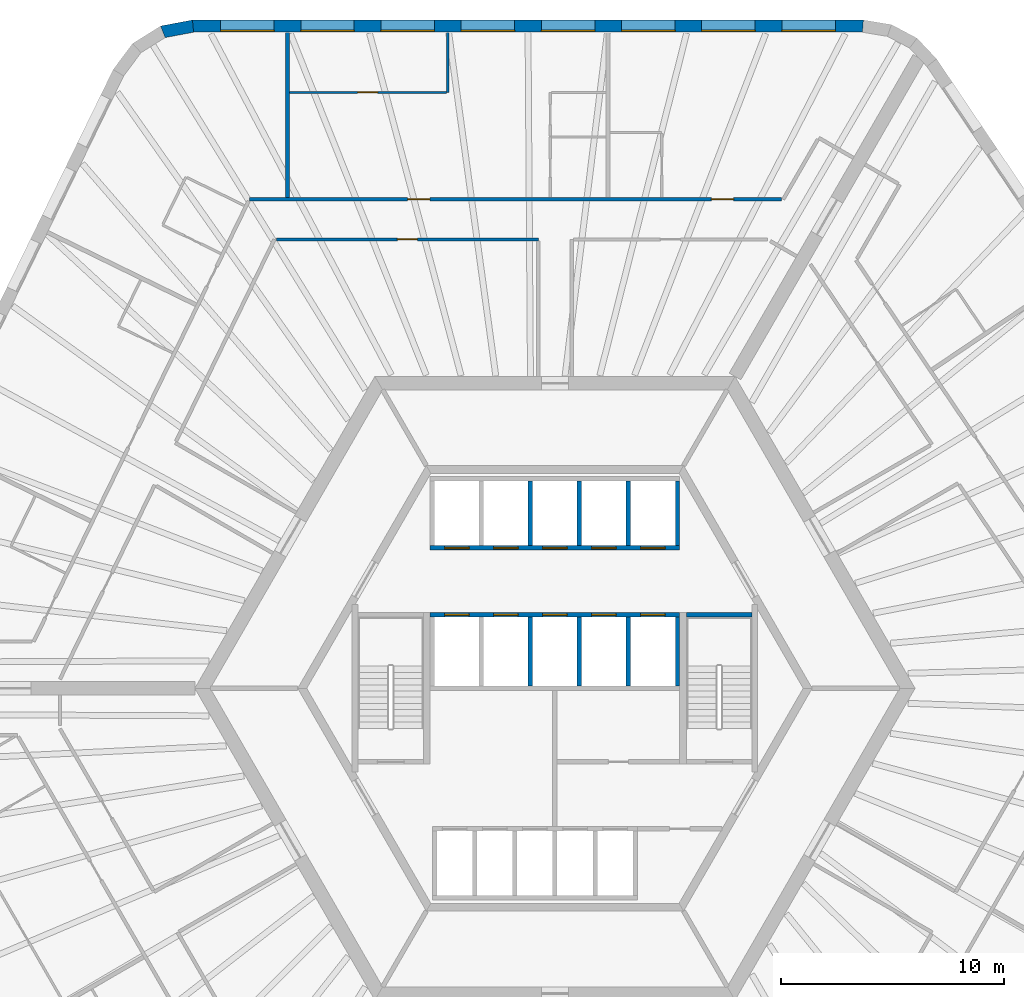
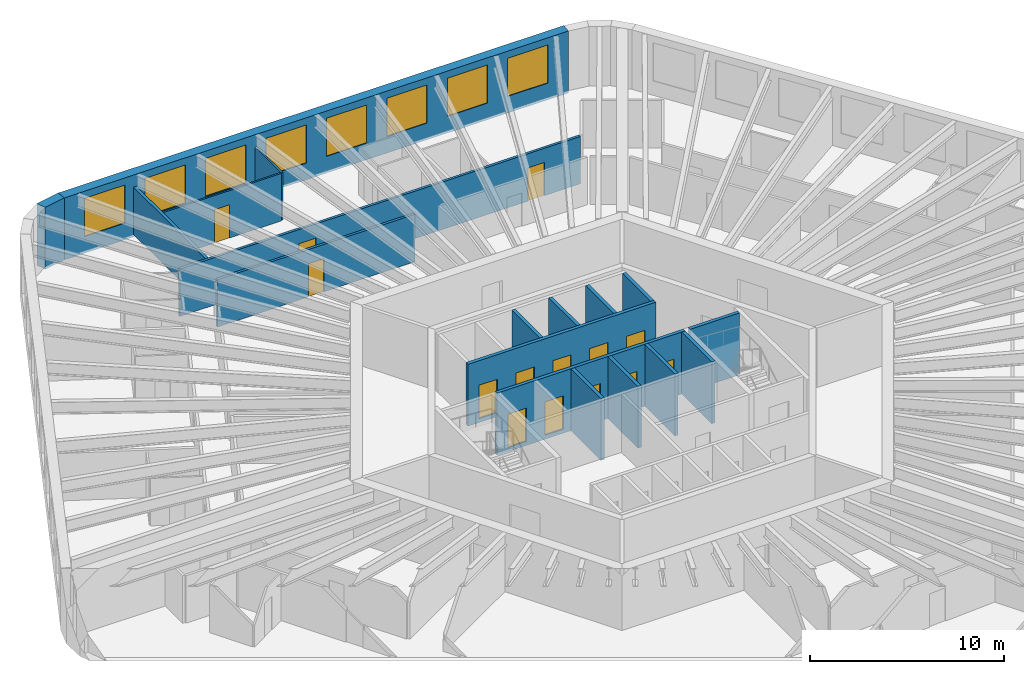
# One storey, part 8 of 12: 18 walls, 14 doors, 8 windows, 22 openings.
"""IFC4 building model written with IfcOpenShell, lengths in metres."""

from ifc_helpers import new_model, si_unit, direction, frame, frame_2d, origin, place, context, subcontext, project, spatial, polyline, rectangle, outline, extrude, material, layer, layer_set, type_object, element, fill, save


model = new_model("IFC4")

# Units and contexts
model_context = context("Model", 3, precision=1e-05, world=origin(), true_north=direction((0.0, 1.0)))
body_context = subcontext(model_context, "Body", "Model", "MODEL_VIEW")
ifc_project = project(units=[si_unit("LENGTHUNIT", "METRE"), si_unit("AREAUNIT", "SQUARE_METRE"), si_unit("VOLUMEUNIT", "CUBIC_METRE"), si_unit("PLANEANGLEUNIT", "RADIAN"), si_unit("MASSUNIT", "GRAM", prefix="KILO")], contexts=[model_context])

# Site, building, storey
site_placement = place(None, origin())
site = spatial("IfcSite", under=ifc_project, at=site_placement, CompositionType="ELEMENT")
building_placement = place(site_placement, origin())
building = spatial("IfcBuilding", under=site, at=building_placement, Name="Tarnside Tower", CompositionType="ELEMENT")
storey_placement = place(building_placement, frame((0.0, 0.0, 64.800048828125)))
storey = spatial("IfcBuildingStorey", under=building, at=storey_placement, Name="L13", CompositionType="ELEMENT", Elevation=64.800048828125)

# Wall, openings, doors
ifc_material_1 = material(Name="Gypsum board partition on steel studs", Category="steel")
ifc_layer_1 = layer(ifc_material_1, 0.14990234375)
ifc_layer_set_1 = layer_set([ifc_layer_1], Name="Corridor wall 150 EI 60")
wall_type_1 = type_object("IfcWallType", Name="Corridor wall 150 EI 60", PredefinedType="PARTITIONING", material=ifc_layer_set_1)
wall_1_placement = place(storey_placement, frame((10.161376953125, 21.949951171875, 0.0), z_axis=(0.0, 0.0, 1.0), x_axis=(-1.0, 0.0, 0.0)))
wall_1 = element("IfcWall", 1, at=wall_1_placement, inside=storey, type_object=wall_type_1, Name="Corridor wall 03003", PredefinedType="PARTITIONING", context=body_context, shape_type="SweptSolid", body=[
    extrude(rectangle(XDim=23.877197265625, YDim=0.14990234375, at=frame_2d((11.9384765625, 0.0))), origin(), (0.0, 0.0, 1.0), 2.98779296875),
])
opening_1_placement = place(wall_1_placement, frame((2.142822265625, 0.0, 0.0)))
opening_1 = element("IfcOpeningElement", 2, at=opening_1_placement, cuts=wall_1, Name="Opening D-E1", PredefinedType="OPENING", context=body_context, shape_type="SweptSolid", body=[
    extrude(rectangle(XDim=1.0, YDim=2.10009765625, at=frame_2d((0.5, 1.050048828125))), frame((0.0, 0.0849609375, 0.0), z_axis=(0.0, -1.0, 0.0), x_axis=(1.0, 0.0, 0.0)), (0.0, 0.0, 1.0), 0.169921875),
])
opening_2_placement = place(wall_1_placement, frame((15.7724609375, 0.0, 0.0)))
opening_2 = element("IfcOpeningElement", 3, at=opening_2_placement, cuts=wall_1, Name="Opening D-E1", PredefinedType="OPENING", context=body_context, shape_type="SweptSolid", body=[
    extrude(rectangle(XDim=1.0, YDim=2.10009765625, at=frame_2d((0.5, 1.050048828125))), frame((0.0, 0.0849609375, 0.0), z_axis=(0.0, -1.0, 0.0), x_axis=(1.0, 0.0, 0.0)), (0.0, 0.0, 1.0), 0.169921875),
])
ifc_material_2 = material(Name="Timber door leaf", Category="wood")
door_type_1 = type_object("IfcDoorType", Name="Unit entrance door 1000 FD30S", OperationType="NOTDEFINED", PredefinedType="DOOR", material=ifc_material_2)
door_1_placement = place(opening_1_placement, origin())
door_1 = element("IfcDoor", 4, at=door_1_placement, inside=storey, type_object=door_type_1, Name="Unit door 03001", OperationType="SINGLE_SWING_RIGHT", OverallHeight=2.10009765625, OverallWidth=1.0, PredefinedType="DOOR", context=body_context, shape_type="SweptSolid", body=[
    extrude(rectangle(XDim=1.0, YDim=2.10009765625, at=frame_2d((0.5, 1.050048828125))), frame((0.0, 0.02490234375, 0.0), z_axis=(0.0, -1.0, 0.0), x_axis=(1.0, 0.0, 0.0)), (0.0, 0.0, 1.0), 0.050048828125),
])
fill(opening_1, door_1)
door_2_placement = place(opening_2_placement, origin())
door_2 = element("IfcDoor", 5, at=door_2_placement, inside=storey, type_object=door_type_1, Name="Unit door 03003", OperationType="SINGLE_SWING_RIGHT", OverallHeight=2.10009765625, OverallWidth=1.0, PredefinedType="DOOR", context=body_context, shape_type="SweptSolid", body=[
    extrude(rectangle(XDim=1.0, YDim=2.10009765625, at=frame_2d((0.5, 1.050048828125))), frame((0.0, 0.02490234375, 0.0), z_axis=(0.0, -1.0, 0.0), x_axis=(1.0, 0.0, 0.0)), (0.0, 0.0, 1.0), 0.050048828125),
])
fill(opening_2, door_2)

# Wall, opening, door
wall_2_placement = place(storey_placement, frame((-12.507568359375, 20.14990234375, 0.0), z_axis=(0.0, 0.0, 1.0), x_axis=(1.0, 0.0, 0.0)))
wall_2 = element("IfcWall", 6, at=wall_2_placement, inside=storey, type_object=wall_type_1, Name="Corridor wall 03019", PredefinedType="PARTITIONING", context=body_context, shape_type="SweptSolid", body=[
    extrude(rectangle(XDim=11.757568359375, YDim=0.14990234375, at=frame_2d((5.87890625, 0.0))), origin(), (0.0, 0.0, 1.0), 2.98779296875),
])
opening_3_placement = place(wall_2_placement, frame((5.428955078125, 0.0, 0.0)))
opening_3 = element("IfcOpeningElement", 7, at=opening_3_placement, cuts=wall_2, Name="Opening D-S1", PredefinedType="OPENING", context=body_context, shape_type="SweptSolid", body=[
    extrude(rectangle(XDim=0.89990234375, YDim=2.10009765625, at=frame_2d((0.449951171875, 1.050048828125))), frame((0.0, 0.0849609375, 0.0), z_axis=(0.0, -1.0, 0.0), x_axis=(1.0, 0.0, 0.0)), (0.0, 0.0, 1.0), 0.169921875),
])
door_type_2 = type_object("IfcDoorType", Name="Service room door 900 FD30S", OperationType="NOTDEFINED", PredefinedType="DOOR", material=ifc_material_2)
door_3_placement = place(opening_3_placement, origin())
door_3 = element("IfcDoor", 8, at=door_3_placement, inside=storey, type_object=door_type_2, Name="Service door 03039", OperationType="SINGLE_SWING_RIGHT", OverallHeight=2.10009765625, OverallWidth=0.89990234375, PredefinedType="DOOR", context=body_context, shape_type="SweptSolid", body=[
    extrude(rectangle(XDim=0.89990234375, YDim=2.10009765625, at=frame_2d((0.449951171875, 1.050048828125))), frame((0.0, 0.02490234375, 0.0), z_axis=(0.0, -1.0, 0.0), x_axis=(1.0, 0.0, 0.0)), (0.0, 0.0, 1.0), 0.050048828125),
])
fill(opening_3, door_3)

# Wall
ifc_layer_2 = layer(ifc_material_1, 0.179931640625)
ifc_layer_set_2 = layer_set([ifc_layer_2], Name="Demising wall 180 EI 60")
wall_type_2 = type_object("IfcWallType", Name="Demising wall 180 EI 60", PredefinedType="PARTITIONING", material=ifc_layer_set_2)
wall_3_placement = place(storey_placement, frame((-12.010986328125, 29.449951171875, 0.0), z_axis=(0.0, 0.0, 1.0), x_axis=(0.0, -1.0, 0.0)))
element("IfcWall", 9, at=wall_3_placement, inside=storey, type_object=wall_type_2, Name="Demising wall 03083", PredefinedType="PARTITIONING", context=body_context, shape_type="SweptSolid", body=[
    extrude(rectangle(XDim=7.425048828125, YDim=0.179931640625, at=frame_2d((3.71240234375, 0.0))), origin(), (0.0, 0.0, 1.0), 2.98779296875),
])

# Wall, openings, doors
ifc_material_3 = material(Name="Concrete C40/50", Category="concrete")
ifc_layer_3 = layer(ifc_material_3, 0.199951171875)
ifc_layer_set_3 = layer_set([ifc_layer_3], Name="Lift shaft wall 200 C40/50")
wall_type_3 = type_object("IfcWallType", Name="Lift shaft wall 200 C40/50", PredefinedType="SHEAR", material=ifc_layer_set_3)
wall_4_placement = place(storey_placement, frame((-5.60009765625, 6.300048828125, -0.25), z_axis=(0.0, 0.0, 1.0), x_axis=(1.0, 0.0, 0.0)))
wall_4 = element("IfcWall", 10, at=wall_4_placement, inside=storey, type_object=wall_type_3, Name="L13 lift shaft front wall R1", PredefinedType="SHEAR", context=body_context, shape_type="SweptSolid", body=[
    extrude(rectangle(XDim=11.2001953125, YDim=0.199951171875, at=frame_2d((5.60009765625, 0.0))), origin(), (0.0, 0.0, 1.0), 3.89990234375),
])
opening_4_placement = place(wall_4_placement, frame((0.64990234375, 0.0, 0.25)))
opening_4 = element("IfcOpeningElement", 11, at=opening_4_placement, cuts=wall_4, Name="Opening LD", PredefinedType="OPENING", context=body_context, shape_type="SweptSolid", body=[
    extrude(rectangle(XDim=1.10009765625, YDim=2.10009765625, at=frame_2d((0.550048828125, 1.050048828125))), frame((0.0, 0.10986328125, 0.0), z_axis=(0.0, -1.0, 0.0), x_axis=(1.0, 0.0, 0.0)), (0.0, 0.0, 1.0), 0.219970703125),
])
opening_5_placement = place(wall_4_placement, frame((2.85009765625, 0.0, 0.25)))
opening_5 = element("IfcOpeningElement", 12, at=opening_5_placement, cuts=wall_4, Name="Opening LD", PredefinedType="OPENING", context=body_context, shape_type="SweptSolid", body=[
    extrude(rectangle(XDim=1.10009765625, YDim=2.10009765625, at=frame_2d((0.550048828125, 1.050048828125))), frame((0.0, 0.10986328125, 0.0), z_axis=(0.0, -1.0, 0.0), x_axis=(1.0, 0.0, 0.0)), (0.0, 0.0, 1.0), 0.219970703125),
])
opening_6_placement = place(wall_4_placement, frame((5.050048828125, 0.0, 0.25)))
opening_6 = element("IfcOpeningElement", 13, at=opening_6_placement, cuts=wall_4, Name="Opening LD", PredefinedType="OPENING", context=body_context, shape_type="SweptSolid", body=[
    extrude(rectangle(XDim=1.10009765625, YDim=2.10009765625, at=frame_2d((0.550048828125, 1.050048828125))), frame((0.0, 0.10986328125, 0.0), z_axis=(0.0, -1.0, 0.0), x_axis=(1.0, 0.0, 0.0)), (0.0, 0.0, 1.0), 0.219970703125),
])
opening_7_placement = place(wall_4_placement, frame((7.25, 0.0, 0.25)))
opening_7 = element("IfcOpeningElement", 14, at=opening_7_placement, cuts=wall_4, Name="Opening LD", PredefinedType="OPENING", context=body_context, shape_type="SweptSolid", body=[
    extrude(rectangle(XDim=1.10009765625, YDim=2.10009765625, at=frame_2d((0.550048828125, 1.050048828125))), frame((0.0, 0.10986328125, 0.0), z_axis=(0.0, -1.0, 0.0), x_axis=(1.0, 0.0, 0.0)), (0.0, 0.0, 1.0), 0.219970703125),
])
opening_8_placement = place(wall_4_placement, frame((9.449951171875, 0.0, 0.25)))
opening_8 = element("IfcOpeningElement", 15, at=opening_8_placement, cuts=wall_4, Name="Opening LD", PredefinedType="OPENING", context=body_context, shape_type="SweptSolid", body=[
    extrude(rectangle(XDim=1.10009765625, YDim=2.10009765625, at=frame_2d((0.550048828125, 1.050048828125))), frame((0.0, 0.10986328125, 0.0), z_axis=(0.0, -1.0, 0.0), x_axis=(1.0, 0.0, 0.0)), (0.0, 0.0, 1.0), 0.219970703125),
])
ifc_material_4 = material(Name="Stainless steel", Category="steel")
door_type_3 = type_object("IfcDoorType", Name="Lift landing door 1100x2100", OperationType="NOTDEFINED", PredefinedType="DOOR", material=ifc_material_4)
door_4_placement = place(opening_4_placement, origin())
door_4 = element("IfcDoor", 16, at=door_4_placement, inside=storey, type_object=door_type_3, Name="Low-rise lift 1 landing door L13", OperationType="SLIDING_TO_LEFT", OverallHeight=2.10009765625, OverallWidth=1.10009765625, PredefinedType="DOOR", context=body_context, shape_type="SweptSolid", body=[
    extrude(rectangle(XDim=1.10009765625, YDim=2.10009765625, at=frame_2d((0.550048828125, 1.050048828125))), frame((0.0, 0.02490234375, 0.0), z_axis=(0.0, -1.0, 0.0), x_axis=(1.0, 0.0, 0.0)), (0.0, 0.0, 1.0), 0.050048828125),
])
fill(opening_4, door_4)
door_5_placement = place(opening_5_placement, origin())
door_5 = element("IfcDoor", 17, at=door_5_placement, inside=storey, type_object=door_type_3, Name="Low-rise lift 2 landing door L13", OperationType="SLIDING_TO_LEFT", OverallHeight=2.10009765625, OverallWidth=1.10009765625, PredefinedType="DOOR", context=body_context, shape_type="SweptSolid", body=[
    extrude(rectangle(XDim=1.10009765625, YDim=2.10009765625, at=frame_2d((0.550048828125, 1.050048828125))), frame((0.0, 0.02490234375, 0.0), z_axis=(0.0, -1.0, 0.0), x_axis=(1.0, 0.0, 0.0)), (0.0, 0.0, 1.0), 0.050048828125),
])
fill(opening_5, door_5)
door_6_placement = place(opening_6_placement, origin())
door_6 = element("IfcDoor", 18, at=door_6_placement, inside=storey, type_object=door_type_3, Name="Low-rise lift 3 landing door L13", OperationType="SLIDING_TO_LEFT", OverallHeight=2.10009765625, OverallWidth=1.10009765625, PredefinedType="DOOR", context=body_context, shape_type="SweptSolid", body=[
    extrude(rectangle(XDim=1.10009765625, YDim=2.10009765625, at=frame_2d((0.550048828125, 1.050048828125))), frame((0.0, 0.02490234375, 0.0), z_axis=(0.0, -1.0, 0.0), x_axis=(1.0, 0.0, 0.0)), (0.0, 0.0, 1.0), 0.050048828125),
])
fill(opening_6, door_6)
door_7_placement = place(opening_7_placement, origin())
door_7 = element("IfcDoor", 19, at=door_7_placement, inside=storey, type_object=door_type_3, Name="Low sky-lobby shuttle 1 landing door L13", OperationType="SLIDING_TO_LEFT", OverallHeight=2.10009765625, OverallWidth=1.10009765625, PredefinedType="DOOR", context=body_context, shape_type="SweptSolid", body=[
    extrude(rectangle(XDim=1.10009765625, YDim=2.10009765625, at=frame_2d((0.550048828125, 1.050048828125))), frame((0.0, 0.02490234375, 0.0), z_axis=(0.0, -1.0, 0.0), x_axis=(1.0, 0.0, 0.0)), (0.0, 0.0, 1.0), 0.050048828125),
])
fill(opening_7, door_7)
door_8_placement = place(opening_8_placement, origin())
door_8 = element("IfcDoor", 20, at=door_8_placement, inside=storey, type_object=door_type_3, Name="Low sky-lobby shuttle 2 landing door L13", OperationType="SLIDING_TO_LEFT", OverallHeight=2.10009765625, OverallWidth=1.10009765625, PredefinedType="DOOR", context=body_context, shape_type="SweptSolid", body=[
    extrude(rectangle(XDim=1.10009765625, YDim=2.10009765625, at=frame_2d((0.550048828125, 1.050048828125))), frame((0.0, 0.02490234375, 0.0), z_axis=(0.0, -1.0, 0.0), x_axis=(1.0, 0.0, 0.0)), (0.0, 0.0, 1.0), 0.050048828125),
])
fill(opening_8, door_8)

# Walls
for number, where, z_axis, x_axis, name in (
    (21, (-1.10009765625, 6.39990234375, -0.25), (0.0, 0.0, 1.0), (0.0, 1.0, 0.0), "L13 lift shaft partition R13"),
    (22, (1.10009765625, 6.39990234375, -0.25), (0.0, 0.0, 1.0), (0.0, 1.0, 0.0), "L13 lift shaft partition R14"),
    (23, (3.300048828125, 6.39990234375, -0.25), (0.0, 0.0, 1.0), (0.0, 1.0, 0.0), "L13 lift shaft partition R15"),
    (24, (5.5, 6.39990234375, -0.25), (0.0, 0.0, 1.0), (0.0, 1.0, 0.0), "L13 lift shaft partition R16"),
):
    element("IfcWall", number, at=place(storey_placement, frame(where, z_axis=z_axis, x_axis=x_axis)), inside=storey, type_object=wall_type_3, Name=name, PredefinedType="SHEAR", context=body_context, shape_type="SweptSolid", body=[
        extrude(rectangle(XDim=2.900146484375, YDim=0.199951171875, at=frame_2d((1.4501953125, 0.0))), origin(), (0.0, 0.0, 1.0), 3.89990234375),
    ])

# Wall, openings, doors
wall_5_placement = place(storey_placement, frame((-5.60009765625, 3.300048828125, -0.25), z_axis=(0.0, 0.0, 1.0), x_axis=(1.0, 0.0, 0.0)))
wall_5 = element("IfcWall", 25, at=wall_5_placement, inside=storey, type_object=wall_type_3, Name="L13 lift shaft front wall R2", PredefinedType="SHEAR", context=body_context, shape_type="SweptSolid", body=[
    extrude(rectangle(XDim=11.2001953125, YDim=0.199951171875, at=frame_2d((5.60009765625, 0.0))), origin(), (0.0, 0.0, 1.0), 3.89990234375),
])
opening_9_placement = place(wall_5_placement, frame((0.64990234375, 0.0, 0.25)))
opening_9 = element("IfcOpeningElement", 26, at=opening_9_placement, cuts=wall_5, Name="Opening LD", PredefinedType="OPENING", context=body_context, shape_type="SweptSolid", body=[
    extrude(rectangle(XDim=1.10009765625, YDim=2.10009765625, at=frame_2d((0.550048828125, 1.050048828125))), frame((0.0, 0.10986328125, 0.0), z_axis=(0.0, -1.0, 0.0), x_axis=(1.0, 0.0, 0.0)), (0.0, 0.0, 1.0), 0.219970703125),
])
opening_10_placement = place(wall_5_placement, frame((2.85009765625, 0.0, 0.25)))
opening_10 = element("IfcOpeningElement", 27, at=opening_10_placement, cuts=wall_5, Name="Opening LD", PredefinedType="OPENING", context=body_context, shape_type="SweptSolid", body=[
    extrude(rectangle(XDim=1.10009765625, YDim=2.10009765625, at=frame_2d((0.550048828125, 1.050048828125))), frame((0.0, 0.10986328125, 0.0), z_axis=(0.0, -1.0, 0.0), x_axis=(1.0, 0.0, 0.0)), (0.0, 0.0, 1.0), 0.219970703125),
])
opening_11_placement = place(wall_5_placement, frame((5.050048828125, 0.0, 0.25)))
opening_11 = element("IfcOpeningElement", 28, at=opening_11_placement, cuts=wall_5, Name="Opening LD", PredefinedType="OPENING", context=body_context, shape_type="SweptSolid", body=[
    extrude(rectangle(XDim=1.10009765625, YDim=2.10009765625, at=frame_2d((0.550048828125, 1.050048828125))), frame((0.0, 0.10986328125, 0.0), z_axis=(0.0, -1.0, 0.0), x_axis=(1.0, 0.0, 0.0)), (0.0, 0.0, 1.0), 0.219970703125),
])
opening_12_placement = place(wall_5_placement, frame((7.25, 0.0, 0.25)))
opening_12 = element("IfcOpeningElement", 29, at=opening_12_placement, cuts=wall_5, Name="Opening LD", PredefinedType="OPENING", context=body_context, shape_type="SweptSolid", body=[
    extrude(rectangle(XDim=1.10009765625, YDim=2.10009765625, at=frame_2d((0.550048828125, 1.050048828125))), frame((0.0, 0.10986328125, 0.0), z_axis=(0.0, -1.0, 0.0), x_axis=(1.0, 0.0, 0.0)), (0.0, 0.0, 1.0), 0.219970703125),
])
opening_13_placement = place(wall_5_placement, frame((9.449951171875, 0.0, 0.25)))
opening_13 = element("IfcOpeningElement", 30, at=opening_13_placement, cuts=wall_5, Name="Opening LD", PredefinedType="OPENING", context=body_context, shape_type="SweptSolid", body=[
    extrude(rectangle(XDim=1.10009765625, YDim=2.10009765625, at=frame_2d((0.550048828125, 1.050048828125))), frame((0.0, 0.10986328125, 0.0), z_axis=(0.0, -1.0, 0.0), x_axis=(1.0, 0.0, 0.0)), (0.0, 0.0, 1.0), 0.219970703125),
])
door_9_placement = place(opening_9_placement, origin())
door_9 = element("IfcDoor", 31, at=door_9_placement, inside=storey, type_object=door_type_3, Name="Low-rise lift 4 landing door L13", OperationType="SLIDING_TO_LEFT", OverallHeight=2.10009765625, OverallWidth=1.10009765625, PredefinedType="DOOR", context=body_context, shape_type="SweptSolid", body=[
    extrude(rectangle(XDim=1.10009765625, YDim=2.10009765625, at=frame_2d((0.550048828125, 1.050048828125))), frame((0.0, 0.02490234375, 0.0), z_axis=(0.0, -1.0, 0.0), x_axis=(1.0, 0.0, 0.0)), (0.0, 0.0, 1.0), 0.050048828125),
])
fill(opening_9, door_9)
door_10_placement = place(opening_10_placement, origin())
door_10 = element("IfcDoor", 32, at=door_10_placement, inside=storey, type_object=door_type_3, Name="Low-rise lift 5 landing door L13", OperationType="SLIDING_TO_LEFT", OverallHeight=2.10009765625, OverallWidth=1.10009765625, PredefinedType="DOOR", context=body_context, shape_type="SweptSolid", body=[
    extrude(rectangle(XDim=1.10009765625, YDim=2.10009765625, at=frame_2d((0.550048828125, 1.050048828125))), frame((0.0, 0.02490234375, 0.0), z_axis=(0.0, -1.0, 0.0), x_axis=(1.0, 0.0, 0.0)), (0.0, 0.0, 1.0), 0.050048828125),
])
fill(opening_10, door_10)
door_11_placement = place(opening_11_placement, origin())
door_11 = element("IfcDoor", 33, at=door_11_placement, inside=storey, type_object=door_type_3, Name="Low-rise lift 6 landing door L13", OperationType="SLIDING_TO_LEFT", OverallHeight=2.10009765625, OverallWidth=1.10009765625, PredefinedType="DOOR", context=body_context, shape_type="SweptSolid", body=[
    extrude(rectangle(XDim=1.10009765625, YDim=2.10009765625, at=frame_2d((0.550048828125, 1.050048828125))), frame((0.0, 0.02490234375, 0.0), z_axis=(0.0, -1.0, 0.0), x_axis=(1.0, 0.0, 0.0)), (0.0, 0.0, 1.0), 0.050048828125),
])
fill(opening_11, door_11)
door_12_placement = place(opening_12_placement, origin())
door_12 = element("IfcDoor", 34, at=door_12_placement, inside=storey, type_object=door_type_3, Name="High sky-lobby shuttle 1 landing door L13", OperationType="SLIDING_TO_LEFT", OverallHeight=2.10009765625, OverallWidth=1.10009765625, PredefinedType="DOOR", context=body_context, shape_type="SweptSolid", body=[
    extrude(rectangle(XDim=1.10009765625, YDim=2.10009765625, at=frame_2d((0.550048828125, 1.050048828125))), frame((0.0, 0.02490234375, 0.0), z_axis=(0.0, -1.0, 0.0), x_axis=(1.0, 0.0, 0.0)), (0.0, 0.0, 1.0), 0.050048828125),
])
fill(opening_12, door_12)
door_13_placement = place(opening_13_placement, origin())
door_13 = element("IfcDoor", 35, at=door_13_placement, inside=storey, type_object=door_type_3, Name="Express sky-lobby shuttle 2 landing door L13", OperationType="SLIDING_TO_LEFT", OverallHeight=2.10009765625, OverallWidth=1.10009765625, PredefinedType="DOOR", context=body_context, shape_type="SweptSolid", body=[
    extrude(rectangle(XDim=1.10009765625, YDim=2.10009765625, at=frame_2d((0.550048828125, 1.050048828125))), frame((0.0, 0.02490234375, 0.0), z_axis=(0.0, -1.0, 0.0), x_axis=(1.0, 0.0, 0.0)), (0.0, 0.0, 1.0), 0.050048828125),
])
fill(opening_13, door_13)

# Walls
for number, where, z_axis, x_axis, name in (
    (36, (-1.10009765625, 0.10009765625, -0.25), (0.0, 0.0, 1.0), (0.0, 1.0, 0.0), "L13 lift shaft partition R23"),
    (37, (1.10009765625, 0.10009765625, -0.25), (0.0, 0.0, 1.0), (0.0, 1.0, 0.0), "L13 lift shaft partition R24"),
    (38, (3.300048828125, 0.10009765625, -0.25), (0.0, 0.0, 1.0), (0.0, 1.0, 0.0), "L13 lift shaft partition R25"),
    (39, (5.5, 0.10009765625, -0.25), (0.0, 0.0, 1.0), (0.0, 1.0, 0.0), "L13 lift shaft partition R26"),
):
    element("IfcWall", number, at=place(storey_placement, frame(where, z_axis=z_axis, x_axis=x_axis)), inside=storey, type_object=wall_type_3, Name=name, PredefinedType="SHEAR", context=body_context, shape_type="SweptSolid", body=[
        extrude(rectangle(XDim=3.099853515625, YDim=0.199951171875, at=frame_2d((1.5498046875, 0.0))), origin(), (0.0, 0.0, 1.0), 3.89990234375),
    ])
wall_6_placement = place(storey_placement, frame((5.89990234375, 3.300048828125, -0.25), z_axis=(0.0, 0.0, 1.0), x_axis=(1.0, 0.0, 0.0)))
element("IfcWall", 40, at=wall_6_placement, inside=storey, type_object=wall_type_3, Name="L13 stair 1 enclosure cap wall n", PredefinedType="SHEAR", context=body_context, shape_type="SweptSolid", body=[
    extrude(rectangle(XDim=2.9501953125, YDim=0.199951171875, at=frame_2d((1.47509765625, 0.0))), origin(), (0.0, 0.0, 1.0), 3.89990234375),
])
ifc_layer_4 = layer(ifc_material_1, 0.10009765625)
ifc_layer_set_4 = layer_set([ifc_layer_4], Name="Partition 100")
wall_type_4 = type_object("IfcWallType", Name="Partition 100", PredefinedType="PARTITIONING", material=ifc_layer_set_4)
wall_7_placement = place(storey_placement, frame((-4.81103515625, 29.449951171875, 0.0), z_axis=(0.0, 0.0, 1.0), x_axis=(0.0, -1.0, 0.0)))
element("IfcWall", 41, at=wall_7_placement, inside=storey, type_object=wall_type_4, Name="Partition wall 03081", PredefinedType="PARTITIONING", context=body_context, shape_type="SweptSolid", body=[
    extrude(rectangle(XDim=2.699951171875, YDim=0.10009765625, at=frame_2d((1.35009765625, 0.0))), origin(), (0.0, 0.0, 1.0), 2.98779296875),
])

# Wall, opening, door
wall_8_placement = place(storey_placement, frame((-4.861083984375, 26.75, 0.0), z_axis=(0.0, 0.0, 1.0), x_axis=(-1.0, 0.0, 0.0)))
wall_8 = element("IfcWall", 42, at=wall_8_placement, inside=storey, type_object=wall_type_4, Name="Partition wall 03082", PredefinedType="PARTITIONING", context=body_context, shape_type="SweptSolid", body=[
    extrude(rectangle(XDim=7.06005859375, YDim=0.10009765625, at=frame_2d((3.530029296875, 0.0))), origin(), (0.0, 0.0, 1.0), 2.98779296875),
])
opening_14_placement = place(wall_8_placement, frame((3.10009765625, 0.0, 0.0)))
opening_14 = element("IfcOpeningElement", 43, at=opening_14_placement, cuts=wall_8, Name="Opening D-I1", PredefinedType="OPENING", context=body_context, shape_type="SweptSolid", body=[
    extrude(rectangle(XDim=0.89990234375, YDim=2.10009765625, at=frame_2d((0.449951171875, 1.050048828125))), frame((0.0, 0.06005859375, 0.0), z_axis=(0.0, -1.0, 0.0), x_axis=(1.0, 0.0, 0.0)), (0.0, 0.0, 1.0), 0.1201171875),
])
door_type_4 = type_object("IfcDoorType", Name="Internal door 900", OperationType="NOTDEFINED", PredefinedType="DOOR", material=ifc_material_2)
door_14_placement = place(opening_14_placement, origin())
door_14 = element("IfcDoor", 44, at=door_14_placement, inside=storey, type_object=door_type_4, Name="Internal door 03006", OperationType="SINGLE_SWING_LEFT", OverallHeight=2.10009765625, OverallWidth=0.89990234375, PredefinedType="DOOR", context=body_context, shape_type="SweptSolid", body=[
    extrude(rectangle(XDim=0.89990234375, YDim=2.10009765625, at=frame_2d((0.449951171875, 1.050048828125))), frame((0.0, 0.02490234375, 0.0), z_axis=(0.0, -1.0, 0.0), x_axis=(1.0, 0.0, 0.0)), (0.0, 0.0, 1.0), 0.050048828125),
])
fill(opening_14, door_14)

# Wall, openings, windows
ifc_material_5 = material(Name="Facing brick", Category="masonry")
ifc_layer_5 = layer(ifc_material_5, 0.10205078125)
ifc_material_6 = material(Name="Concrete C60/75 precast", Category="concrete")
ifc_layer_6 = layer(ifc_material_6, 0.347900390625)
ifc_material_7 = material(Name="Mineral wool insulation")
ifc_layer_7 = layer(ifc_material_7, 0.10009765625)
ifc_layer_set_5 = layer_set([ifc_layer_5, ifc_layer_6, ifc_layer_7], Name="Tube wall 550 brick faced")
wall_type_5 = type_object("IfcWallType", Name="Tube wall 550 brick faced", PredefinedType="SOLIDWALL", material=ifc_layer_set_5)
wall_9_placement = place(storey_placement, frame((13.824462890625, 29.72509765625, -0.150146484375), z_axis=(0.0, 0.0, 1.0), x_axis=(-1.0, 0.0, 0.0)))
wall_9 = element("IfcWall", 45, at=wall_9_placement, inside=storey, type_object=wall_type_5, Name="Tube wall L13 F1 flush 00", PredefinedType="SOLIDWALL", context=body_context, shape_type="SweptSolid", body=[
    extrude(outline(polyline([(-0.0224609375, -0.27490234375), (30.0966796875, -0.27490234375), (30.04541015625, 0.27490234375), (0.0224609375, 0.27490234375), (-0.0224609375, -0.27490234375)])), origin(), (0.0, 0.0, 1.0), 3.900146484375),
])
opening_15_placement = place(wall_9_placement, frame((1.235595703125, 0.0, 1.050048828125)))
opening_15 = element("IfcOpeningElement", 46, at=opening_15_placement, cuts=wall_9, Name="Opening WH", PredefinedType="OPENING", context=body_context, shape_type="SweptSolid", body=[
    extrude(rectangle(XDim=2.39990234375, YDim=2.39990234375, at=frame_2d((1.199951171875, 1.199951171875))), frame((0.0, 0.28515625, 0.0), z_axis=(0.0, -1.0, 0.0), x_axis=(1.0, 0.0, 0.0)), (0.0, 0.0, 1.0), 0.570068359375),
])
opening_16_placement = place(wall_9_placement, frame((4.83544921875, 0.0, 1.050048828125)))
opening_16 = element("IfcOpeningElement", 47, at=opening_16_placement, cuts=wall_9, Name="Opening WH", PredefinedType="OPENING", context=body_context, shape_type="SweptSolid", body=[
    extrude(rectangle(XDim=2.39990234375, YDim=2.39990234375, at=frame_2d((1.199951171875, 1.199951171875))), frame((0.0, 0.28515625, 0.0), z_axis=(0.0, -1.0, 0.0), x_axis=(1.0, 0.0, 0.0)), (0.0, 0.0, 1.0), 0.570068359375),
])
opening_17_placement = place(wall_9_placement, frame((8.435546875, 0.0, 1.050048828125)))
opening_17 = element("IfcOpeningElement", 48, at=opening_17_placement, cuts=wall_9, Name="Opening WH", PredefinedType="OPENING", context=body_context, shape_type="SweptSolid", body=[
    extrude(rectangle(XDim=2.39990234375, YDim=2.39990234375, at=frame_2d((1.199951171875, 1.199951171875))), frame((0.0, 0.28515625, 0.0), z_axis=(0.0, -1.0, 0.0), x_axis=(1.0, 0.0, 0.0)), (0.0, 0.0, 1.0), 0.570068359375),
])
opening_18_placement = place(wall_9_placement, frame((12.035400390625, 0.0, 1.050048828125)))
opening_18 = element("IfcOpeningElement", 49, at=opening_18_placement, cuts=wall_9, Name="Opening WH", PredefinedType="OPENING", context=body_context, shape_type="SweptSolid", body=[
    extrude(rectangle(XDim=2.39990234375, YDim=2.39990234375, at=frame_2d((1.199951171875, 1.199951171875))), frame((0.0, 0.28515625, 0.0), z_axis=(0.0, -1.0, 0.0), x_axis=(1.0, 0.0, 0.0)), (0.0, 0.0, 1.0), 0.570068359375),
])
opening_19_placement = place(wall_9_placement, frame((15.635498046875, 0.0, 1.050048828125)))
opening_19 = element("IfcOpeningElement", 50, at=opening_19_placement, cuts=wall_9, Name="Opening WH", PredefinedType="OPENING", context=body_context, shape_type="SweptSolid", body=[
    extrude(rectangle(XDim=2.39990234375, YDim=2.39990234375, at=frame_2d((1.199951171875, 1.199951171875))), frame((0.0, 0.28515625, 0.0), z_axis=(0.0, -1.0, 0.0), x_axis=(1.0, 0.0, 0.0)), (0.0, 0.0, 1.0), 0.570068359375),
])
opening_20_placement = place(wall_9_placement, frame((19.235595703125, 0.0, 1.050048828125)))
opening_20 = element("IfcOpeningElement", 51, at=opening_20_placement, cuts=wall_9, Name="Opening WH", PredefinedType="OPENING", context=body_context, shape_type="SweptSolid", body=[
    extrude(rectangle(XDim=2.39990234375, YDim=2.39990234375, at=frame_2d((1.199951171875, 1.199951171875))), frame((0.0, 0.28515625, 0.0), z_axis=(0.0, -1.0, 0.0), x_axis=(1.0, 0.0, 0.0)), (0.0, 0.0, 1.0), 0.570068359375),
])
opening_21_placement = place(wall_9_placement, frame((22.83544921875, 0.0, 1.050048828125)))
opening_21 = element("IfcOpeningElement", 52, at=opening_21_placement, cuts=wall_9, Name="Opening WH", PredefinedType="OPENING", context=body_context, shape_type="SweptSolid", body=[
    extrude(rectangle(XDim=2.39990234375, YDim=2.39990234375, at=frame_2d((1.199951171875, 1.199951171875))), frame((0.0, 0.28515625, 0.0), z_axis=(0.0, -1.0, 0.0), x_axis=(1.0, 0.0, 0.0)), (0.0, 0.0, 1.0), 0.570068359375),
])
opening_22_placement = place(wall_9_placement, frame((26.435546875, 0.0, 1.050048828125)))
opening_22 = element("IfcOpeningElement", 53, at=opening_22_placement, cuts=wall_9, Name="Opening WH", PredefinedType="OPENING", context=body_context, shape_type="SweptSolid", body=[
    extrude(rectangle(XDim=2.39990234375, YDim=2.39990234375, at=frame_2d((1.199951171875, 1.199951171875))), frame((0.0, 0.28515625, 0.0), z_axis=(0.0, -1.0, 0.0), x_axis=(1.0, 0.0, 0.0)), (0.0, 0.0, 1.0), 0.570068359375),
])
ifc_material_8 = material(Name="Aluminium-framed double glazing", Category="aluminium")
window_type = type_object("IfcWindowType", Name="Hotel window 2400 x 2400", PartitioningType="DOUBLE_PANEL_VERTICAL", PredefinedType="WINDOW", material=ifc_material_8)
window_1_placement = place(opening_15_placement, frame((0.0, 0.205078125, 0.0)))
window_1 = element("IfcWindow", 54, at=window_1_placement, inside=storey, type_object=window_type, Name="E.WN.L13.F1.00", OverallHeight=2.39990234375, OverallWidth=2.39990234375, PartitioningType="DOUBLE_PANEL_VERTICAL", PredefinedType="WINDOW", context=body_context, shape_type="SweptSolid", body=[
    extrude(rectangle(XDim=2.39990234375, YDim=2.39990234375, at=frame_2d((1.199951171875, 1.199951171875))), frame((0.0, 0.030029296875, 0.0), z_axis=(0.0, -1.0, 0.0), x_axis=(1.0, 0.0, 0.0)), (0.0, 0.0, 1.0), 0.06005859375),
])
fill(opening_15, window_1)
window_2_placement = place(opening_16_placement, frame((0.0, 0.205078125, 0.0)))
window_2 = element("IfcWindow", 55, at=window_2_placement, inside=storey, type_object=window_type, Name="E.WN.L13.F1.01", OverallHeight=2.39990234375, OverallWidth=2.39990234375, PartitioningType="DOUBLE_PANEL_VERTICAL", PredefinedType="WINDOW", context=body_context, shape_type="SweptSolid", body=[
    extrude(rectangle(XDim=2.39990234375, YDim=2.39990234375, at=frame_2d((1.199951171875, 1.199951171875))), frame((0.0, 0.030029296875, 0.0), z_axis=(0.0, -1.0, 0.0), x_axis=(1.0, 0.0, 0.0)), (0.0, 0.0, 1.0), 0.06005859375),
])
fill(opening_16, window_2)
window_3_placement = place(opening_17_placement, frame((0.0, 0.205078125, 0.0)))
window_3 = element("IfcWindow", 56, at=window_3_placement, inside=storey, type_object=window_type, Name="E.WN.L13.F1.02", OverallHeight=2.39990234375, OverallWidth=2.39990234375, PartitioningType="DOUBLE_PANEL_VERTICAL", PredefinedType="WINDOW", context=body_context, shape_type="SweptSolid", body=[
    extrude(rectangle(XDim=2.39990234375, YDim=2.39990234375, at=frame_2d((1.199951171875, 1.199951171875))), frame((0.0, 0.030029296875, 0.0), z_axis=(0.0, -1.0, 0.0), x_axis=(1.0, 0.0, 0.0)), (0.0, 0.0, 1.0), 0.06005859375),
])
fill(opening_17, window_3)
window_4_placement = place(opening_18_placement, frame((0.0, 0.205078125, 0.0)))
window_4 = element("IfcWindow", 57, at=window_4_placement, inside=storey, type_object=window_type, Name="E.WN.L13.F1.03", OverallHeight=2.39990234375, OverallWidth=2.39990234375, PartitioningType="DOUBLE_PANEL_VERTICAL", PredefinedType="WINDOW", context=body_context, shape_type="SweptSolid", body=[
    extrude(rectangle(XDim=2.39990234375, YDim=2.39990234375, at=frame_2d((1.199951171875, 1.199951171875))), frame((0.0, 0.030029296875, 0.0), z_axis=(0.0, -1.0, 0.0), x_axis=(1.0, 0.0, 0.0)), (0.0, 0.0, 1.0), 0.06005859375),
])
fill(opening_18, window_4)
window_5_placement = place(opening_19_placement, frame((0.0, 0.205078125, 0.0)))
window_5 = element("IfcWindow", 58, at=window_5_placement, inside=storey, type_object=window_type, Name="E.WN.L13.F1.04", OverallHeight=2.39990234375, OverallWidth=2.39990234375, PartitioningType="DOUBLE_PANEL_VERTICAL", PredefinedType="WINDOW", context=body_context, shape_type="SweptSolid", body=[
    extrude(rectangle(XDim=2.39990234375, YDim=2.39990234375, at=frame_2d((1.199951171875, 1.199951171875))), frame((0.0, 0.030029296875, 0.0), z_axis=(0.0, -1.0, 0.0), x_axis=(1.0, 0.0, 0.0)), (0.0, 0.0, 1.0), 0.06005859375),
])
fill(opening_19, window_5)
window_6_placement = place(opening_20_placement, frame((0.0, 0.205078125, 0.0)))
window_6 = element("IfcWindow", 59, at=window_6_placement, inside=storey, type_object=window_type, Name="E.WN.L13.F1.05", OverallHeight=2.39990234375, OverallWidth=2.39990234375, PartitioningType="DOUBLE_PANEL_VERTICAL", PredefinedType="WINDOW", context=body_context, shape_type="SweptSolid", body=[
    extrude(rectangle(XDim=2.39990234375, YDim=2.39990234375, at=frame_2d((1.199951171875, 1.199951171875))), frame((0.0, 0.030029296875, 0.0), z_axis=(0.0, -1.0, 0.0), x_axis=(1.0, 0.0, 0.0)), (0.0, 0.0, 1.0), 0.06005859375),
])
fill(opening_20, window_6)
window_7_placement = place(opening_21_placement, frame((0.0, 0.205078125, 0.0)))
window_7 = element("IfcWindow", 60, at=window_7_placement, inside=storey, type_object=window_type, Name="E.WN.L13.F1.06", OverallHeight=2.39990234375, OverallWidth=2.39990234375, PartitioningType="DOUBLE_PANEL_VERTICAL", PredefinedType="WINDOW", context=body_context, shape_type="SweptSolid", body=[
    extrude(rectangle(XDim=2.39990234375, YDim=2.39990234375, at=frame_2d((1.199951171875, 1.199951171875))), frame((0.0, 0.030029296875, 0.0), z_axis=(0.0, -1.0, 0.0), x_axis=(1.0, 0.0, 0.0)), (0.0, 0.0, 1.0), 0.06005859375),
])
fill(opening_21, window_7)
window_8_placement = place(opening_22_placement, frame((0.0, 0.205078125, 0.0)))
window_8 = element("IfcWindow", 61, at=window_8_placement, inside=storey, type_object=window_type, Name="E.WN.L13.F1.07", OverallHeight=2.39990234375, OverallWidth=2.39990234375, PartitioningType="DOUBLE_PANEL_VERTICAL", PredefinedType="WINDOW", context=body_context, shape_type="SweptSolid", body=[
    extrude(rectangle(XDim=2.39990234375, YDim=2.39990234375, at=frame_2d((1.199951171875, 1.199951171875))), frame((0.0, 0.030029296875, 0.0), z_axis=(0.0, -1.0, 0.0), x_axis=(1.0, 0.0, 0.0)), (0.0, 0.0, 1.0), 0.06005859375),
])
fill(opening_22, window_8)

# Wall
wall_10_placement = place(storey_placement, frame((-16.24658203125, 29.72509765625, -0.150146484375), z_axis=(0.0, 0.0, 1.0), x_axis=(-0.982705443133, -0.185175624845, 0.0)))
element("IfcWall", 62, at=wall_10_placement, inside=storey, type_object=wall_type_5, Name="Tube wall L13 F1 chord 01", PredefinedType="SOLIDWALL", context=body_context, shape_type="SweptSolid", body=[
    extrude(outline(polyline([(-0.025634765625, -0.27490234375), (1.430908203125, -0.27490234375), (1.327392578125, 0.27490234375), (0.025634765625, 0.27490234375), (-0.025634765625, -0.27490234375)])), origin(), (0.0, 0.0, 1.0), 3.900146484375),
])

save(model, "model.ifc")
